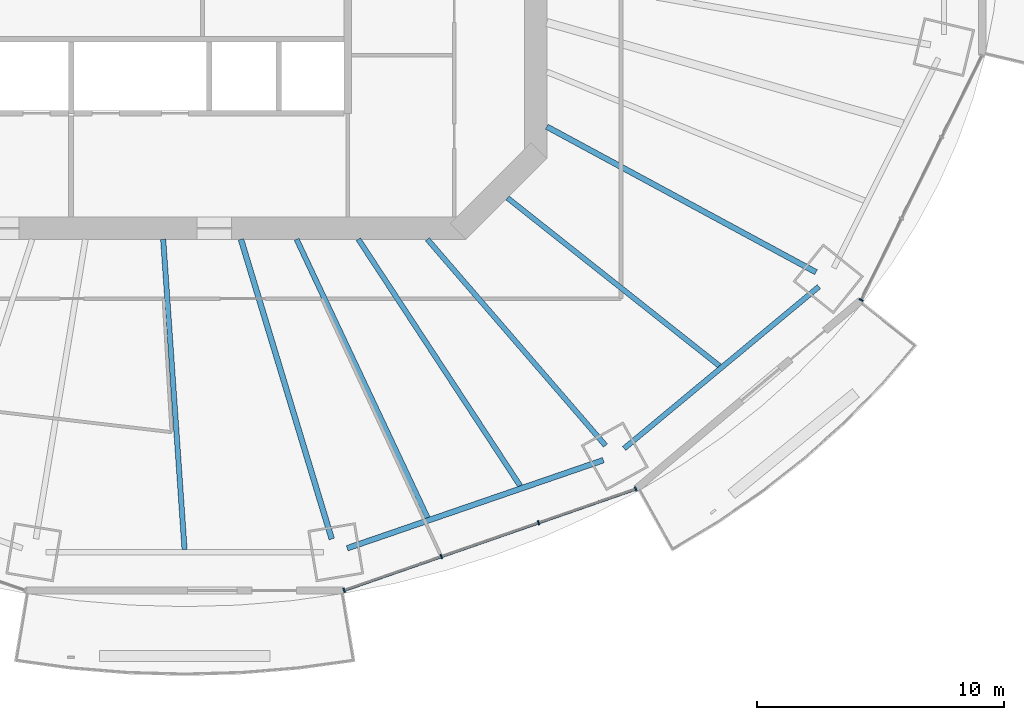
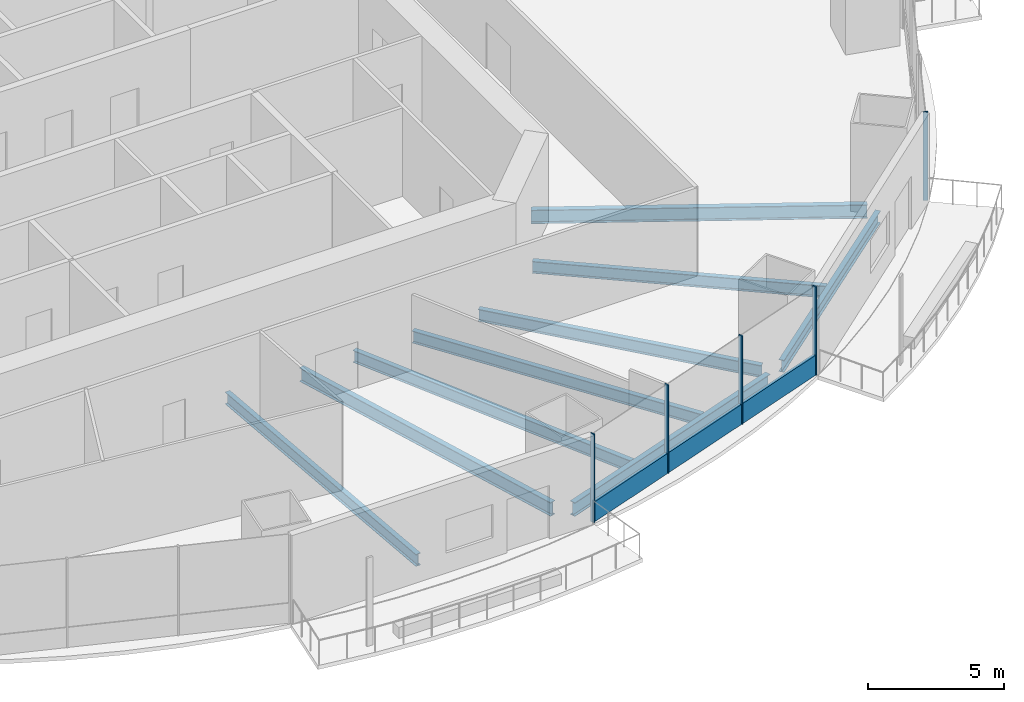
# One storey, part 4 of 21: 9 beams, 6 members, 2 elements without a shape of their own.
"""IFC4 building model written with IfcOpenShell, lengths in metres."""

from ifc_helpers import new_model, si_unit, direction, frame, origin, origin_2d, place, context, subcontext, project, spatial, rectangle, i_section, extrude, material, material_profile, profile_set, type_object, element, aggregate, save


model = new_model("IFC4")

# Units and contexts
model_context = context("Model", 3, precision=1e-05, world=origin(), true_north=direction((0.0, 1.0)))
body_context = subcontext(model_context, "Body", "Model", "MODEL_VIEW")
ifc_project = project(units=[si_unit("LENGTHUNIT", "METRE"), si_unit("AREAUNIT", "SQUARE_METRE"), si_unit("VOLUMEUNIT", "CUBIC_METRE"), si_unit("PLANEANGLEUNIT", "RADIAN"), si_unit("MASSUNIT", "GRAM", prefix="KILO")], contexts=[model_context])

# Site, building, storey
site_placement = place(None, origin())
site = spatial("IfcSite", under=ifc_project, at=site_placement, CompositionType="ELEMENT")
building_placement = place(site_placement, origin())
building = spatial("IfcBuilding", under=site, at=building_placement, Name="Marenthal Gate Tower", CompositionType="ELEMENT")
storey_placement = place(building_placement, frame((0.0, 0.0, 165.199951171875)))
storey = spatial("IfcBuildingStorey", under=building, at=storey_placement, Name="L35", CompositionType="ELEMENT", Elevation=165.199951171875)

# Curtain wall, members
ifc_material_1 = material(Name="Aluminium and glass", Category="aluminium")
curtain_wall_type = type_object("IfcCurtainWallType", Name="Curtain wall typical mid", PredefinedType="NOTDEFINED", material=ifc_material_1)
curtain_wall_1_placement = place(storey_placement, origin())
curtain_wall_1 = element("IfcCurtainWall", 1, at=curtain_wall_1_placement, inside=storey, type_object=curtain_wall_type, Name="Curtain wall L35 bay 13", PredefinedType="NOTDEFINED")
ifc_material_2 = material(Name="Aluminium", Category="aluminium")
ifc_material_profile_1 = material_profile(ifc_material_2, rectangle(XDim=0.179931640625, YDim=0.06005859375, at=origin_2d()), Name="60x180 aluminium mullion")
ifc_profile_set_1 = profile_set([ifc_material_profile_1], Name="Aluminium")
member_type_1 = type_object("IfcMemberType", Name="Mullion 60x180 typical mid", PredefinedType="MULLION", material=ifc_profile_set_1)
member_1_placement = place(storey_placement, frame((8.24658203125, -27.65185546875, 0.0), z_axis=(0.0, 0.0, 1.0), x_axis=(-0.328157600538, 0.944622987868, 0.0)))
member_1 = element("IfcMember", 2, at=member_1_placement, type_object=member_type_1, Name="Mullion L35 bay 13.1", PredefinedType="MULLION", context=body_context, shape_type="SweptSolid", body=[
    extrude(rectangle(XDim=0.179931640625, YDim=0.06005859375, at=origin_2d()), origin(), (0.0, 0.0, 1.0), 3.969970703125),
])
member_2_placement = place(storey_placement, frame((12.180908203125, -26.28515625, 0.0), z_axis=(0.0, 0.0, 1.0), x_axis=(-0.328157600538, 0.944622987868, 0.0)))
member_2 = element("IfcMember", 3, at=member_2_placement, type_object=member_type_1, Name="Mullion L35 bay 13.2", PredefinedType="MULLION", context=body_context, shape_type="SweptSolid", body=[
    extrude(rectangle(XDim=0.179931640625, YDim=0.06005859375, at=origin_2d()), origin(), (0.0, 0.0, 1.0), 3.969970703125),
])
member_3_placement = place(storey_placement, frame((16.115234375, -24.91845703125, 0.0), z_axis=(0.0, 0.0, 1.0), x_axis=(-0.328157600538, 0.944622987868, 0.0)))
member_3 = element("IfcMember", 4, at=member_3_placement, type_object=member_type_1, Name="Mullion L35 bay 13.3", PredefinedType="MULLION", context=body_context, shape_type="SweptSolid", body=[
    extrude(rectangle(XDim=0.179931640625, YDim=0.06005859375, at=origin_2d()), origin(), (0.0, 0.0, 1.0), 3.969970703125),
])
member_4_placement = place(storey_placement, frame((20.04931640625, -23.5517578125, 0.0), z_axis=(0.0, 0.0, 1.0), x_axis=(-0.328157600538, 0.944622987868, 0.0)))
member_4 = element("IfcMember", 5, at=member_4_placement, type_object=member_type_1, Name="Mullion L35 bay 13.4", PredefinedType="MULLION", context=body_context, shape_type="SweptSolid", body=[
    extrude(rectangle(XDim=0.179931640625, YDim=0.06005859375, at=origin_2d()), origin(), (0.0, 0.0, 1.0), 3.969970703125),
])

# Curtain wall, member
curtain_wall_2_placement = place(storey_placement, origin())
curtain_wall_2 = element("IfcCurtainWall", 6, at=curtain_wall_2_placement, inside=storey, type_object=curtain_wall_type, Name="Curtain wall L35 bay 15", PredefinedType="NOTDEFINED")
member_5_placement = place(storey_placement, frame((29.167724609375, -15.90234375, 0.0), z_axis=(0.0, 0.0, 1.0), x_axis=(-0.896608747182, 0.442823615536, 0.0)))
member_5 = element("IfcMember", 7, at=member_5_placement, type_object=member_type_1, Name="Mullion L35 bay 15.1", PredefinedType="MULLION", context=body_context, shape_type="SweptSolid", body=[
    extrude(rectangle(XDim=0.179931640625, YDim=0.06005859375, at=origin_2d()), origin(), (0.0, 0.0, 1.0), 3.969970703125),
])
aggregate(curtain_wall_2, [member_5])

# Member
ifc_material_3 = material(Name="Aluminium", Category="aluminium")
ifc_material_profile_2 = material_profile(ifc_material_3, rectangle(XDim=0.1201171875, YDim=0.89990234375, at=origin_2d()), Name="120x900 aluminium transom")
ifc_profile_set_2 = profile_set([ifc_material_profile_2], Name="Aluminium")
member_type_2 = type_object("IfcMemberType", Name="Transom 120x900 typical mid", PredefinedType="USERDEFINED", material=ifc_profile_set_2)
member_6_placement = place(storey_placement, frame((8.27490234375, -27.64208984375, 0.449951171875), z_axis=(0.944622278222, 0.328159643295, 0.0), x_axis=(-0.328159643295, 0.944622278222, 0.0)))
member_6 = element("IfcMember", 8, at=member_6_placement, type_object=member_type_2, Name="Transom L35 bay 13", ObjectType="TRANSOM", PredefinedType="USERDEFINED", context=body_context, shape_type="SweptSolid", body=[
    extrude(rectangle(XDim=0.1201171875, YDim=0.89990234375, at=origin_2d()), origin(), (0.0, 0.0, 1.0), 12.434814453125),
])

aggregate(curtain_wall_1, [member_1, member_2, member_3, member_4, member_6])

# Beams
ifc_material_4 = material(Name="Steel S355", Category="steel")
ifc_material_profile_3 = material_profile(ifc_material_4, i_section(OverallWidth=0.2099609375, OverallDepth=0.535888671875, WebThickness=0.010986328125, FlangeThickness=0.017333984375, FilletRadius=0.0126953125, at=origin_2d()), Name="W530X101")
ifc_profile_set_3 = profile_set([ifc_material_profile_3], Name="Steel S355")
beam_type_1 = type_object("IfcBeamType", Name="W530X101 beam", PredefinedType="BEAM", material=ifc_profile_set_3)
beam_1_placement = place(storey_placement, frame((23.435302734375, -18.572509765625, -0.447998046875), z_axis=(-0.783733990569, 0.621096636625, 0.0), x_axis=(-0.621096636625, -0.783733990569, 0.0)))
element("IfcBeam", 9, at=beam_1_placement, inside=storey, type_object=beam_type_1, Name="BM-L35-37", PredefinedType="BEAM", context=body_context, shape_type="SweptSolid", body=[
    extrude(i_section(OverallWidth=0.2099609375, OverallDepth=0.535888671875, WebThickness=0.010986328125, FlangeThickness=0.017333984375, FilletRadius=0.0126953125, at=origin_2d()), origin(), (0.0, 0.0, 1.0), 10.94189453125),
])
ifc_material_5 = material(Name="Steel S355", Category="steel")
ifc_material_profile_4 = material_profile(ifc_material_5, i_section(OverallWidth=0.2119140625, OverallDepth=0.5439453125, WebThickness=0.01318359375, FlangeThickness=0.021240234375, FilletRadius=0.0126953125, at=origin_2d()), Name="W530X123")
ifc_profile_set_4 = profile_set([ifc_material_profile_4], Name="Steel S355")
beam_type_2 = type_object("IfcBeamType", Name="W530X123 beam", PredefinedType="BEAM", material=ifc_profile_set_4)
beam_2_placement = place(storey_placement, frame((18.82568359375, -21.794921875, -0.451904296875), z_axis=(-0.653671171532, 0.756778699164, 0.0), x_axis=(-0.756778699164, -0.653671171532, 0.0)))
element("IfcBeam", 10, at=beam_2_placement, inside=storey, type_object=beam_type_2, Name="BM-L35-14", PredefinedType="BEAM", context=body_context, shape_type="SweptSolid", body=[
    extrude(i_section(OverallWidth=0.2119140625, OverallDepth=0.5439453125, WebThickness=0.01318359375, FlangeThickness=0.021240234375, FilletRadius=0.0126953125, at=origin_2d()), origin(), (0.0, 0.0, 1.0), 11.02685546875),
])
beam_3_placement = place(storey_placement, frame((1.7919921875, -25.997802734375, -0.451904296875), z_axis=(-0.068752795176, 0.997633726954, 0.0), x_axis=(-0.997633726954, -0.068752795176, 0.0)))
element("IfcBeam", 11, at=beam_3_placement, inside=storey, type_object=beam_type_2, Name="BM-L35-34", PredefinedType="BEAM", context=body_context, shape_type="SweptSolid", body=[
    extrude(i_section(OverallWidth=0.2119140625, OverallDepth=0.5439453125, WebThickness=0.01318359375, FlangeThickness=0.021240234375, FilletRadius=0.0126953125, at=origin_2d()), origin(), (0.0, 0.0, 1.0), 12.57763671875),
])
beam_4_placement = place(storey_placement, frame((11.624267578125, -24.71337890625, -0.451904296875), z_axis=(-0.42562700249, 0.904898698613, 0.0), x_axis=(-0.904898698613, -0.42562700249, 0.0)))
element("IfcBeam", 12, at=beam_4_placement, inside=storey, type_object=beam_type_2, Name="BM-L35-35", PredefinedType="BEAM", context=body_context, shape_type="SweptSolid", body=[
    extrude(i_section(OverallWidth=0.2119140625, OverallDepth=0.5439453125, WebThickness=0.01318359375, FlangeThickness=0.021240234375, FilletRadius=0.0126953125, at=origin_2d()), origin(), (0.0, 0.0, 1.0), 12.447265625),
])
beam_5_placement = place(storey_placement, frame((15.371826171875, -23.424072265625, -0.451904296875), z_axis=(-0.54865018342, 0.83605201766, 0.0), x_axis=(-0.83605201766, -0.54865018342, 0.0)))
element("IfcBeam", 13, at=beam_5_placement, inside=storey, type_object=beam_type_2, Name="BM-L35-36", PredefinedType="BEAM", context=body_context, shape_type="SweptSolid", body=[
    extrude(i_section(OverallWidth=0.2119140625, OverallDepth=0.5439453125, WebThickness=0.01318359375, FlangeThickness=0.021240234375, FilletRadius=0.0126953125, at=origin_2d()), origin(), (0.0, 0.0, 1.0), 11.929931640625),
])
beam_6_placement = place(storey_placement, frame((19.57861328125, -21.913818359375, -0.451904296875), z_axis=(0.769269111774, 0.638924904563, 0.0), x_axis=(-0.638924904563, 0.769269111774, 0.0)))
element("IfcBeam", 14, at=beam_6_placement, inside=storey, type_object=beam_type_2, Name="BM-L35-54", PredefinedType="BEAM", context=body_context, shape_type="SweptSolid", body=[
    extrude(i_section(OverallWidth=0.2119140625, OverallDepth=0.5439453125, WebThickness=0.01318359375, FlangeThickness=0.021240234375, FilletRadius=0.0126953125, at=origin_2d()), origin(), (0.0, 0.0, 1.0), 10.24560546875),
])
ifc_material_6 = material(Name="Steel S355", Category="steel")
ifc_material_profile_5 = material_profile(ifc_material_6, i_section(OverallWidth=0.22900390625, OverallDepth=0.612060546875, WebThickness=0.011962890625, FlangeThickness=0.01953125, FilletRadius=0.0126953125, at=origin_2d()), Name="W610X125")
ifc_profile_set_5 = profile_set([ifc_material_profile_5], Name="Steel S355")
beam_type_3 = type_object("IfcBeamType", Name="W610X125 beam", PredefinedType="BEAM", material=ifc_profile_set_5)
beam_7_placement = place(storey_placement, frame((7.748046875, -25.5771484375, -0.48583984375), z_axis=(-0.28992932178, 0.957048059594, 0.0), x_axis=(-0.957048059594, -0.28992932178, 0.0)))
element("IfcBeam", 15, at=beam_7_placement, inside=storey, type_object=beam_type_3, Name="BM-L35-13", PredefinedType="BEAM", context=body_context, shape_type="SweptSolid", body=[
    extrude(i_section(OverallWidth=0.22900390625, OverallDepth=0.612060546875, WebThickness=0.011962890625, FlangeThickness=0.01953125, FilletRadius=0.0126953125, at=origin_2d()), origin(), (0.0, 0.0, 1.0), 12.67138671875),
])
beam_8_placement = place(storey_placement, frame((27.341552734375, -14.781494140625, -0.48583984375), z_axis=(-0.87967842248, 0.475568999224, 0.0), x_axis=(-0.475568999224, -0.87967842248, 0.0)))
element("IfcBeam", 16, at=beam_8_placement, inside=storey, type_object=beam_type_3, Name="BM-L35-15", PredefinedType="BEAM", context=body_context, shape_type="SweptSolid", body=[
    extrude(i_section(OverallWidth=0.22900390625, OverallDepth=0.612060546875, WebThickness=0.011962890625, FlangeThickness=0.01953125, FilletRadius=0.0126953125, at=origin_2d()), origin(), (0.0, 0.0, 1.0), 12.38134765625),
])
beam_9_placement = place(storey_placement, frame((8.372314453125, -25.953125, -0.48583984375), z_axis=(0.945608034311, 0.325308231445, 0.0), x_axis=(-0.325308231445, 0.945608034311, 0.0)))
element("IfcBeam", 17, at=beam_9_placement, inside=storey, type_object=beam_type_3, Name="BM-L35-53", PredefinedType="BEAM", context=body_context, shape_type="SweptSolid", body=[
    extrude(i_section(OverallWidth=0.22900390625, OverallDepth=0.612060546875, WebThickness=0.011962890625, FlangeThickness=0.01953125, FilletRadius=0.0126953125, at=origin_2d()), origin(), (0.0, 0.0, 1.0), 10.960205078125),
])

save(model, "model.ifc")
